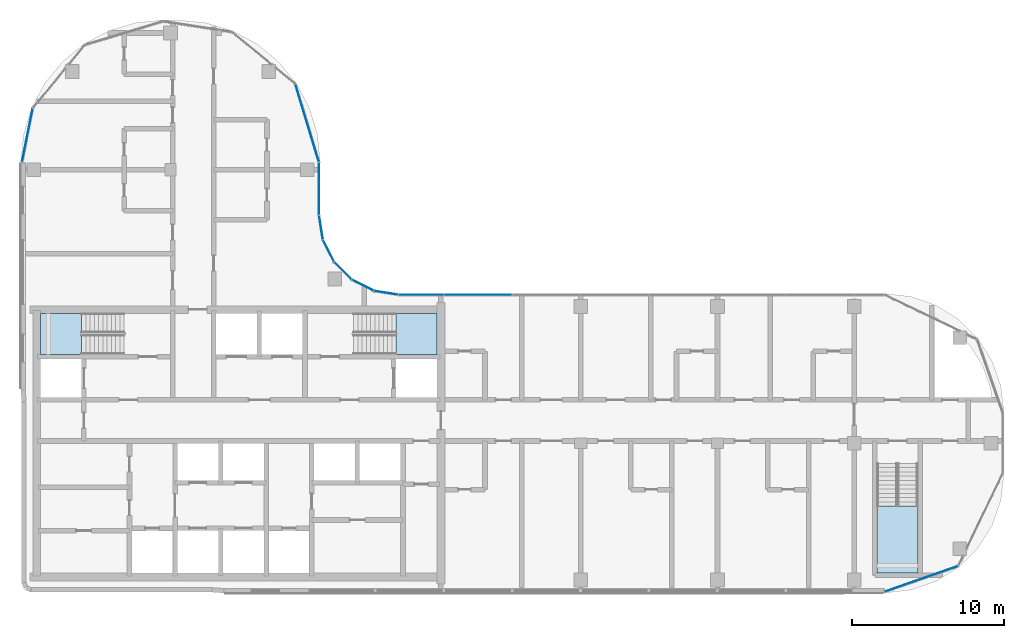
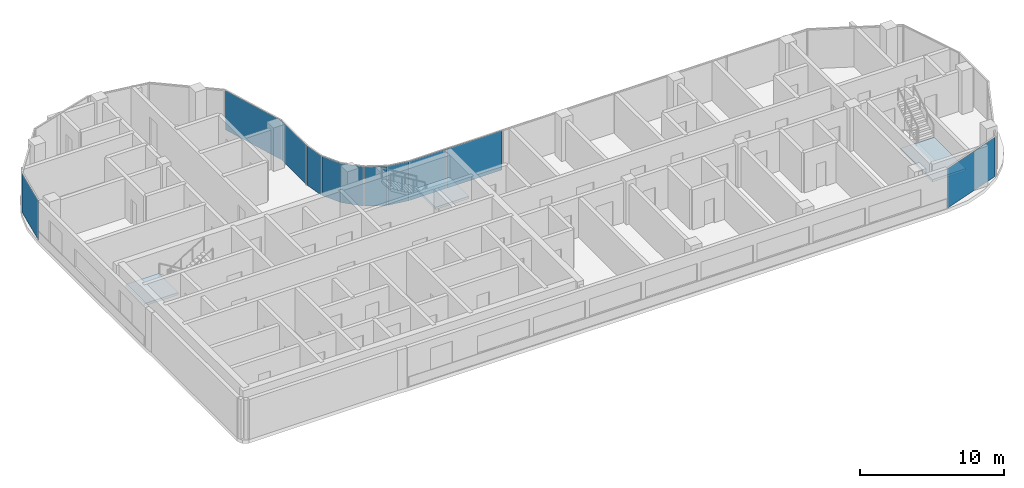
# One storey, part 8 of 20: 11 plates, 3 slabs, 9 elements without a shape of their own.
"""IFC4 building model written with IfcOpenShell, lengths in metres."""

from ifc_helpers import new_model, si_unit, direction, frame, origin, origin_2d, place, context, subcontext, project, spatial, polyline, rectangle, outline, extrude, material, layer, layer_set, type_object, element, aggregate, save


model = new_model("IFC4")

# Units and contexts
model_context = context("Model", 3, precision=1e-05, world=origin(), true_north=direction((0.0, 1.0)))
body_context = subcontext(model_context, "Body", "Model", "MODEL_VIEW")
ifc_project = project(units=[si_unit("LENGTHUNIT", "METRE"), si_unit("AREAUNIT", "SQUARE_METRE"), si_unit("VOLUMEUNIT", "CUBIC_METRE"), si_unit("PLANEANGLEUNIT", "RADIAN"), si_unit("MASSUNIT", "GRAM", prefix="KILO")], contexts=[model_context])

# Site, building, storey
site_placement = place(None, origin())
site = spatial("IfcSite", under=ifc_project, at=site_placement, CompositionType="ELEMENT")
building_placement = place(site_placement, origin())
building = spatial("IfcBuilding", under=site, at=building_placement, Name="Ogive Portal Towers", CompositionType="ELEMENT")
storey_placement = place(building_placement, frame((0.0, 0.0, 210.60009765625)))
storey = spatial("IfcBuildingStorey", under=building, at=storey_placement, Name="L52", CompositionType="ELEMENT", Elevation=210.60009765625)

# Curtain wall, plates
ifc_material_1 = material(Name="Glass, clear low-iron insulated glazing", Category="glass")
curtain_wall_type = type_object("IfcCurtainWallType", Name="CW FRONT RIBBON 4500", PredefinedType="NOTDEFINED", material=ifc_material_1)
curtain_wall_1_placement = place(storey_placement, origin())
curtain_wall_1 = element("IfcCurtainWall", 1, at=curtain_wall_1_placement, inside=storey, type_object=curtain_wall_type, Name="A:L52:f11:cw0", PredefinedType="NOTDEFINED")
ifc_layer_1 = layer(ifc_material_1, 0.028076171875)
ifc_layer_set_1 = layer_set([ifc_layer_1], Name="CW PANEL IGU 28")
plate_type = type_object("IfcPlateType", Name="CW PANEL IGU 28", PredefinedType="CURTAIN_PANEL", material=ifc_layer_set_1)
plate_1_placement = place(storey_placement, frame((60.75, 40.27490234375, 0.0), z_axis=(0.0, 0.0, 1.0), x_axis=(-1.0, 0.0, 0.0)))
plate_1 = element("IfcPlate", 2, at=plate_1_placement, type_object=plate_type, Name="panel", PredefinedType="CURTAIN_PANEL", context=body_context, shape_type="SweptSolid", body=[
    extrude(rectangle(XDim=4.43994140625, YDim=0.028076171875, at=origin_2d()), origin(), (0.0, 0.0, 1.0), 3.340087890625),
])
plate_2_placement = place(storey_placement, frame((56.996826171875, 40.27490234375, 0.0), z_axis=(0.0, 0.0, 1.0), x_axis=(-1.0, 0.0, 0.0)))
plate_2 = element("IfcPlate", 3, at=plate_2_placement, type_object=plate_type, Name="panel", PredefinedType="CURTAIN_PANEL", context=body_context, shape_type="SweptSolid", body=[
    extrude(rectangle(XDim=2.9462890625, YDim=0.028076171875, at=origin_2d()), origin(), (0.0, 0.0, 1.0), 3.340087890625),
])
aggregate(curtain_wall_1, [plate_1, plate_2])

# Curtain wall, plate
curtain_wall_2_placement = place(storey_placement, origin())
curtain_wall_2 = element("IfcCurtainWall", 4, at=curtain_wall_2_placement, inside=storey, type_object=curtain_wall_type, Name="A:L52:f17:cw0", PredefinedType="NOTDEFINED")
plate_3_placement = place(storey_placement, frame((50.27490234375, 47.240966796875, 0.0), z_axis=(0.0, 0.0, 1.0), x_axis=(0.0, 1.0, 0.0)))
plate_3 = element("IfcPlate", 5, at=plate_3_placement, type_object=plate_type, Name="panel", PredefinedType="CURTAIN_PANEL", context=body_context, shape_type="SweptSolid", body=[
    extrude(rectangle(XDim=3.434326171875, YDim=0.028076171875, at=origin_2d()), origin(), (0.0, 0.0, 1.0), 3.340087890625),
])
aggregate(curtain_wall_2, [plate_3])

curtain_wall_3_placement = place(storey_placement, origin())
curtain_wall_3 = element("IfcCurtainWall", 6, at=curtain_wall_3_placement, inside=storey, type_object=curtain_wall_type, Name="A:L52:f06:cwa~0", PredefinedType="NOTDEFINED")
plate_4_placement = place(storey_placement, frame((89.9130859375, 21.57421875, 0.0), z_axis=(0.0, 0.0, 1.0), x_axis=(0.943883330307, 0.33027906196, 0.0)))
plate_4 = element("IfcPlate", 7, at=plate_4_placement, type_object=plate_type, Name="panel", PredefinedType="CURTAIN_PANEL", context=body_context, shape_type="SweptSolid", body=[
    extrude(rectangle(XDim=5.08203125, YDim=0.028076171875, at=origin_2d()), origin(), (0.0, 0.0, 1.0), 3.340087890625),
])
aggregate(curtain_wall_3, [plate_4])

# Curtain wall, plates
curtain_wall_4_placement = place(storey_placement, origin())
curtain_wall_4 = element("IfcCurtainWall", 8, at=curtain_wall_4_placement, inside=storey, type_object=curtain_wall_type, Name="A:L52:f12:cwa", PredefinedType="NOTDEFINED")
plate_5_placement = place(storey_placement, frame((54.689453125, 40.40234375, 0.0), z_axis=(0.0, 0.0, 1.0), x_axis=(-0.987688340595, 0.15643446504, 0.0)))
plate_5 = element("IfcPlate", 9, at=plate_5_placement, type_object=plate_type, Name="panel", PredefinedType="CURTAIN_PANEL", context=body_context, shape_type="SweptSolid", body=[
    extrude(rectangle(XDim=1.568603515625, YDim=0.028076171875, at=origin_2d()), origin(), (0.0, 0.0, 1.0), 3.340087890625),
])
plate_6_placement = place(storey_placement, frame((53.15673828125, 40.90087890625, 0.0), z_axis=(0.0, 0.0, 1.0), x_axis=(-0.891006524188, 0.45399049974, 0.0)))
plate_6 = element("IfcPlate", 10, at=plate_6_placement, type_object=plate_type, Name="panel", PredefinedType="CURTAIN_PANEL", context=body_context, shape_type="SweptSolid", body=[
    extrude(rectangle(XDim=1.574951171875, YDim=0.028076171875, at=origin_2d()), origin(), (0.0, 0.0, 1.0), 3.340087890625),
])
plate_7_placement = place(storey_placement, frame((51.85009765625, 41.85009765625, 0.0), z_axis=(0.0, 0.0, 1.0), x_axis=(-0.707106781187, 0.707106781187, 0.0)))
plate_7 = element("IfcPlate", 11, at=plate_7_placement, type_object=plate_type, Name="panel", PredefinedType="CURTAIN_PANEL", context=body_context, shape_type="SweptSolid", body=[
    extrude(rectangle(XDim=1.574951171875, YDim=0.028076171875, at=origin_2d()), origin(), (0.0, 0.0, 1.0), 3.340087890625),
])
plate_8_placement = place(storey_placement, frame((50.90087890625, 43.15673828125, 0.0), z_axis=(0.0, 0.0, 1.0), x_axis=(-0.45399049974, 0.891006524188, 0.0)))
plate_8 = element("IfcPlate", 12, at=plate_8_placement, type_object=plate_type, Name="panel", PredefinedType="CURTAIN_PANEL", context=body_context, shape_type="SweptSolid", body=[
    extrude(rectangle(XDim=1.574951171875, YDim=0.028076171875, at=origin_2d()), origin(), (0.0, 0.0, 1.0), 3.340087890625),
])
plate_9_placement = place(storey_placement, frame((50.40234375, 44.689453125, 0.0), z_axis=(0.0, 0.0, 1.0), x_axis=(-0.15643446504, 0.987688340595, 0.0)))
plate_9 = element("IfcPlate", 13, at=plate_9_placement, type_object=plate_type, Name="panel", PredefinedType="CURTAIN_PANEL", context=body_context, shape_type="SweptSolid", body=[
    extrude(rectangle(XDim=1.568603515625, YDim=0.028076171875, at=origin_2d()), origin(), (0.0, 0.0, 1.0), 3.340087890625),
])
aggregate(curtain_wall_4, [plate_5, plate_6, plate_7, plate_8, plate_9])

# Curtain wall, plate
curtain_wall_5_placement = place(storey_placement, origin())
curtain_wall_5 = element("IfcCurtainWall", 14, at=curtain_wall_5_placement, inside=storey, type_object=curtain_wall_type, Name="A:L52:f18:cwa~0", PredefinedType="NOTDEFINED")
plate_10_placement = place(storey_placement, frame((49.491943359375, 51.569580078125, 0.0), z_axis=(0.0, 0.0, 1.0), x_axis=(-0.290284677254, 0.956940335732, 0.0)))
plate_10 = element("IfcPlate", 15, at=plate_10_placement, type_object=plate_type, Name="panel", PredefinedType="CURTAIN_PANEL", context=body_context, shape_type="SweptSolid", body=[
    extrude(rectangle(XDim=5.335205078125, YDim=0.028076171875, at=origin_2d()), origin(), (0.0, 0.0, 1.0), 3.340087890625),
])
aggregate(curtain_wall_5, [plate_10])

curtain_wall_6_placement = place(storey_placement, origin())
curtain_wall_6 = element("IfcCurtainWall", 16, at=curtain_wall_6_placement, inside=storey, type_object=curtain_wall_type, Name="A:L52:f18:cwa~2", PredefinedType="NOTDEFINED")
plate_11_placement = place(storey_placement, frame((31.078369140625, 50.768310546875, 0.0), z_axis=(0.0, 0.0, 1.0), x_axis=(-0.195090322016, -0.980785280403, 0.0)))
plate_11 = element("IfcPlate", 17, at=plate_11_placement, type_object=plate_type, Name="panel", PredefinedType="CURTAIN_PANEL", context=body_context, shape_type="SweptSolid", body=[
    extrude(rectangle(XDim=3.562255859375, YDim=0.028076171875, at=origin_2d()), origin(), (0.0, 0.0, 1.0), 3.340087890625),
])
aggregate(curtain_wall_6, [plate_11])

# Stair, slab
ifc_material_2 = material(Name="Concrete C40/50", Category="concrete")
stair_type = type_object("IfcStairType", Name="INT-STAIR", PredefinedType="HALF_TURN_STAIR", material=ifc_material_2)
stair_1_placement = place(storey_placement, origin())
stair_1 = element("IfcStair", 18, at=stair_1_placement, inside=storey, type_object=stair_type, Name="L52 Exit Stair ST-A1", PredefinedType="HALF_TURN_STAIR")
ifc_layer_2 = layer(ifc_material_2, 0.199951171875)
ifc_layer_set_2 = layer_set([ifc_layer_2], Name="INT-LANDING")
slab_type = type_object("IfcSlabType", Name="INT-LANDING", PredefinedType="LANDING", material=ifc_layer_set_2)
slab_1_placement = place(storey_placement, frame((0.0, 0.0, 1.64990234375)))
slab_1 = element("IfcSlab", 19, at=slab_1_placement, type_object=slab_type, Name="ST-A1 landing 1", PredefinedType="LANDING", context=body_context, shape_type="SweptSolid", body=[
    extrude(outline(polyline([(34.64990234375, 39.050048828125), (31.949951171875, 39.050048828125), (31.949951171875, 36.35009765625), (34.64990234375, 36.35009765625), (34.64990234375, 39.050048828125)])), origin(), (0.0, 0.0, 1.0), 0.199951171875),
])
aggregate(stair_1, [slab_1])

stair_2_placement = place(storey_placement, origin())
stair_2 = element("IfcStair", 20, at=stair_2_placement, inside=storey, type_object=stair_type, Name="L52 Exit Stair ST-A2", PredefinedType="HALF_TURN_STAIR")
slab_2_placement = place(storey_placement, frame((0.0, 0.0, 1.64990234375)))
slab_2 = element("IfcSlab", 21, at=slab_2_placement, type_object=slab_type, Name="ST-A2 landing 1", PredefinedType="LANDING", context=body_context, shape_type="SweptSolid", body=[
    extrude(outline(polyline([(55.35009765625, 36.35009765625), (58.050048828125, 36.35009765625), (58.050048828125, 39.050048828125), (55.35009765625, 39.050048828125), (55.35009765625, 36.35009765625)])), origin(), (0.0, 0.0, 1.0), 0.199951171875),
])
aggregate(stair_2, [slab_2])

stair_3_placement = place(storey_placement, origin())
stair_3 = element("IfcStair", 22, at=stair_3_placement, inside=storey, type_object=stair_type, Name="L52 Exit Stair ST-A4", PredefinedType="HALF_TURN_STAIR")
slab_3_placement = place(storey_placement, frame((0.0, 0.0, 1.64990234375)))
slab_3 = element("IfcSlab", 23, at=slab_3_placement, type_object=slab_type, Name="ST-A4 landing 1", PredefinedType="LANDING", context=body_context, shape_type="SweptSolid", body=[
    extrude(outline(polyline([(87.0, 26.3701171875), (87.0, 21.949951171875), (89.699951171875, 21.949951171875), (89.699951171875, 26.3701171875), (87.0, 26.3701171875)])), origin(), (0.0, 0.0, 1.0), 0.199951171875),
])
aggregate(stair_3, [slab_3])

save(model, "model.ifc")
